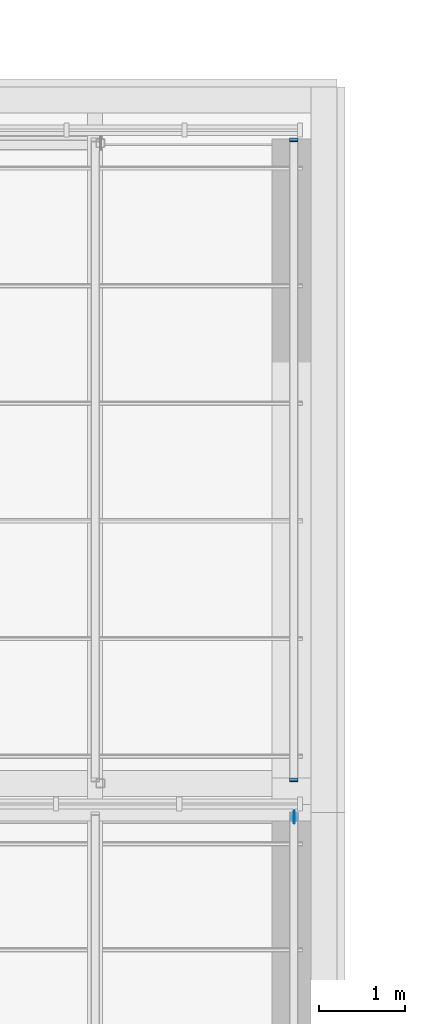
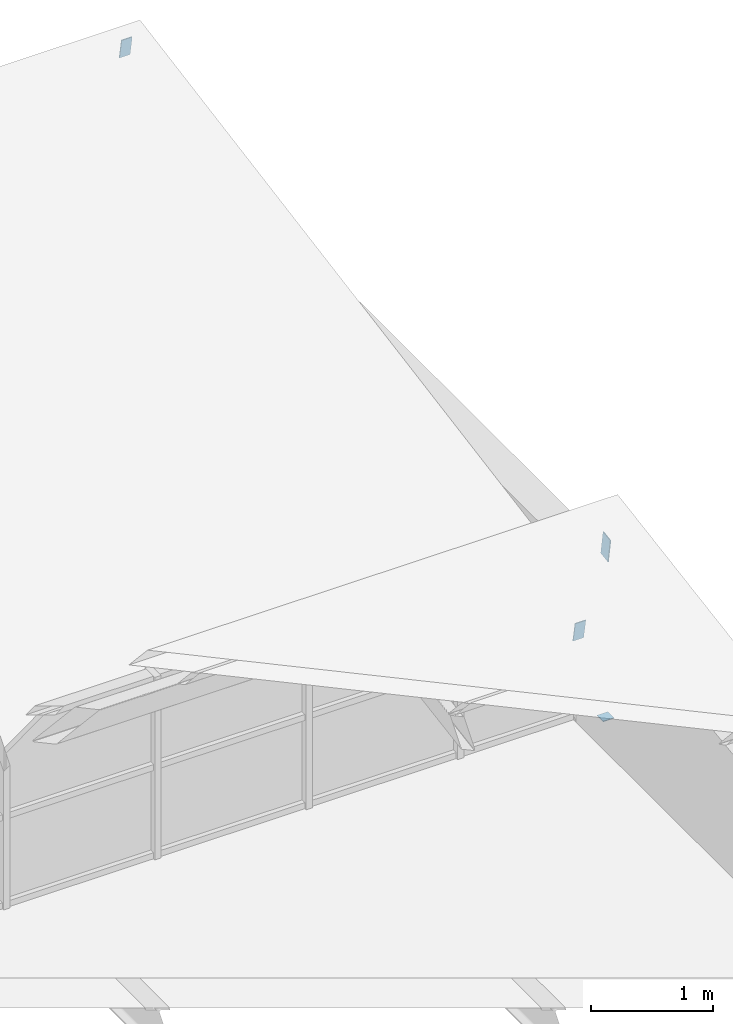
# One storey, part 32 of 33: 4 discrete accessories.
"""IFC4 building model written with IfcOpenShell, lengths in metres."""

from ifc_helpers import new_model, si_unit, direction, frame, origin, origin_2d, place, context, subcontext, project, spatial, rectangle, extrude, material, material_profile, profile_set, type_object, element, save


model = new_model("IFC4")

# Units and contexts
model_context = context("Model", 3, precision=1e-05, world=origin(), true_north=direction((0.0, 1.0)))
body_context = subcontext(model_context, "Body", "Model", "MODEL_VIEW")
ifc_project = project(units=[si_unit("LENGTHUNIT", "METRE"), si_unit("AREAUNIT", "SQUARE_METRE"), si_unit("VOLUMEUNIT", "CUBIC_METRE"), si_unit("PLANEANGLEUNIT", "RADIAN"), si_unit("MASSUNIT", "GRAM", prefix="KILO")], contexts=[model_context])

# Site, building, storey
site_placement = place(None, origin())
site = spatial("IfcSite", under=ifc_project, at=site_placement, CompositionType="ELEMENT")
building_placement = place(site_placement, origin())
building = spatial("IfcBuilding", under=site, at=building_placement, Name="Ardhachandra Cancer Care Centre", CompositionType="ELEMENT")
storey_placement = place(building_placement, frame((0.0, 0.0, 27.0)))
storey = spatial("IfcBuildingStorey", under=building, at=storey_placement, Name="Roof", CompositionType="ELEMENT", Elevation=27.0)

# Discrete accessories
ifc_material_1 = material(Name="Galvanised flat steel (Steel E250 (IS 2062))", Category="steel")
ifc_material_profile_1 = material_profile(ifc_material_1, rectangle(XDim=0.10009765625, YDim=0.199951171875, at=origin_2d()), Name="Rafter end plate 200 x 100 x 8")
ifc_profile_set_1 = profile_set([ifc_material_profile_1], Name="Galvanised flat steel (Steel E250 (IS 2062))")
discrete_accessory_type_1 = type_object("IfcDiscreteAccessoryType", Name="Rafter end plate 200 x 100 x 8", PredefinedType="BRACKET", material=ifc_profile_set_1)
discrete_accessory_1_placement = place(storey_placement, frame((144.699951171875, 96.982421875, 0.598388671875), z_axis=(0.0, -0.982872186934, -0.18428853505), x_axis=(1.0, 0.0, 0.0)))
element("IfcDiscreteAccessory", 1, at=discrete_accessory_1_placement, inside=storey, type_object=discrete_accessory_type_1, Name="Rafter end plate ST3a.7.1", PredefinedType="BRACKET", context=body_context, shape_type="SweptSolid", body=[
    extrude(rectangle(XDim=0.10009765625, YDim=0.199951171875, at=origin_2d()), origin(), (0.0, 0.0, 1.0), 0.008056640625),
])
discrete_accessory_2_placement = place(storey_placement, frame((144.699951171875, 104.38232421875, 1.91845703125), z_axis=(0.0, 0.9838699101, 0.1788854382), x_axis=(-1.0, 0.0, 0.0)))
element("IfcDiscreteAccessory", 2, at=discrete_accessory_2_placement, inside=storey, type_object=discrete_accessory_type_1, Name="Rafter end plate ST3a.7.2", PredefinedType="BRACKET", context=body_context, shape_type="SweptSolid", body=[
    extrude(rectangle(XDim=0.10009765625, YDim=0.199951171875, at=origin_2d()), origin(), (0.0, 0.0, 1.0), 0.00830078125),
])
ifc_material_2 = material(Name="Galvanised flat steel (Steel E250 (IS 2062))", Category="steel")
ifc_material_profile_2 = material_profile(ifc_material_2, rectangle(XDim=0.1201171875, YDim=0.239990234375, at=origin_2d()), Name="Ridge beam end plate 240 x 120 x 8")
ifc_profile_set_2 = profile_set([ifc_material_profile_2], Name="Galvanised flat steel (Steel E250 (IS 2062))")
discrete_accessory_type_2 = type_object("IfcDiscreteAccessoryType", Name="Ridge beam end plate 240 x 120 x 8", PredefinedType="BRACKET", material=ifc_profile_set_2)
discrete_accessory_3_placement = place(storey_placement, frame((144.699951171875, 96.550048828125, 1.690185546875), z_axis=(1.0, 0.0, 0.0), x_axis=(0.0, 0.986659291142, 0.162798781332)))
element("IfcDiscreteAccessory", 3, at=discrete_accessory_3_placement, inside=storey, type_object=discrete_accessory_type_2, Name="Ridge beam end plate ST2a.2", PredefinedType="BRACKET", context=body_context, shape_type="SweptSolid", body=[
    extrude(rectangle(XDim=0.1201171875, YDim=0.239990234375, at=origin_2d()), origin(), (0.0, 0.0, 1.0), 0.008056640625),
])
ifc_material_3 = material(Name="Galvanised flat steel (Steel E250 (IS 2062))", Category="steel")
ifc_material_profile_3 = material_profile(ifc_material_3, rectangle(XDim=0.10009765625, YDim=0.10009765625, at=origin_2d()), Name="Ridge post foot plate 100 x 100 x 8")
ifc_profile_set_3 = profile_set([ifc_material_profile_3], Name="Galvanised flat steel (Steel E250 (IS 2062))")
discrete_accessory_type_3 = type_object("IfcDiscreteAccessoryType", Name="Ridge post foot plate 100 x 100 x 8", PredefinedType="BRACKET", material=ifc_profile_set_3)
discrete_accessory_4_placement = place(storey_placement, frame((144.699951171875, 96.550048828125, 0.0), z_axis=(0.0, 0.0, -1.0), x_axis=(1.0, 0.0, 0.0)))
element("IfcDiscreteAccessory", 4, at=discrete_accessory_4_placement, inside=storey, type_object=discrete_accessory_type_3, Name="Ridge post foot plate ST2a.5", PredefinedType="BRACKET", context=body_context, shape_type="SweptSolid", body=[
    extrude(rectangle(XDim=0.10009765625, YDim=0.10009765625, at=origin_2d()), origin(), (0.0, 0.0, 1.0), 0.008056640625),
])

save(model, "model.ifc")
